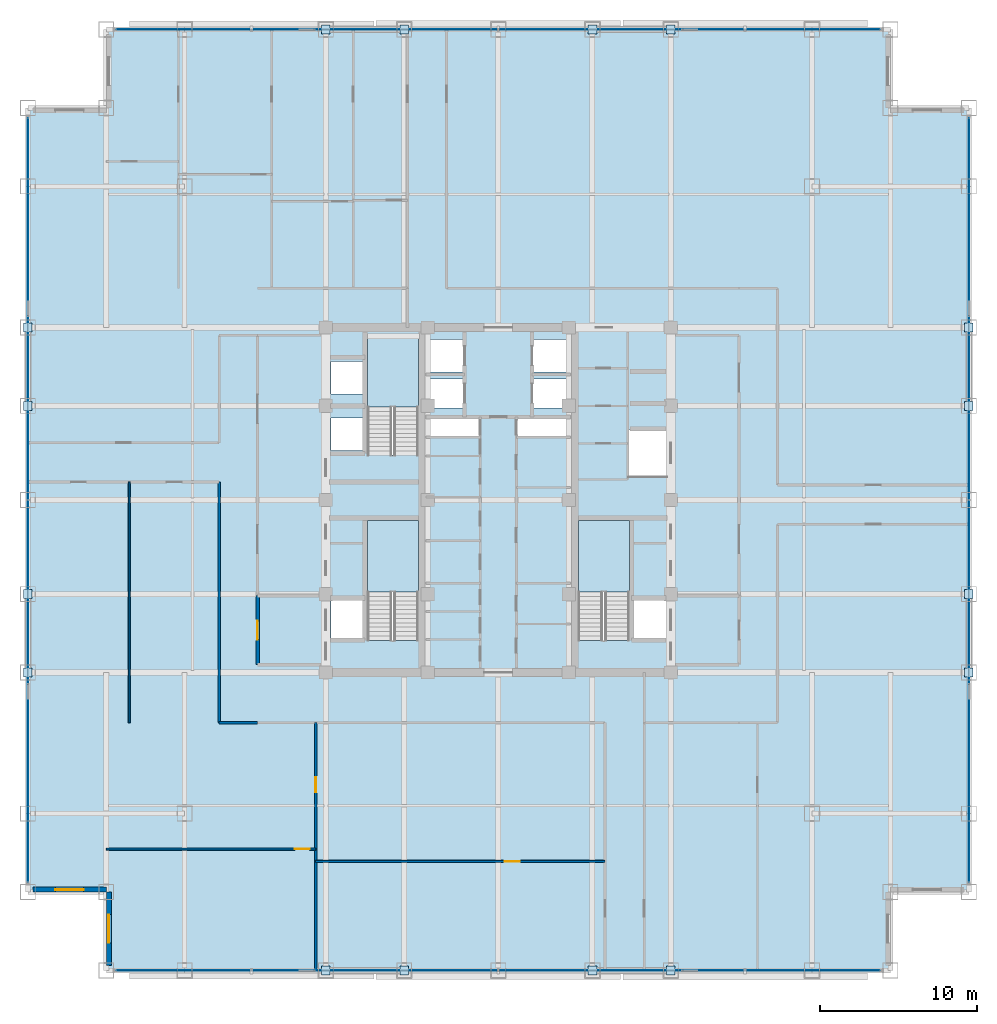
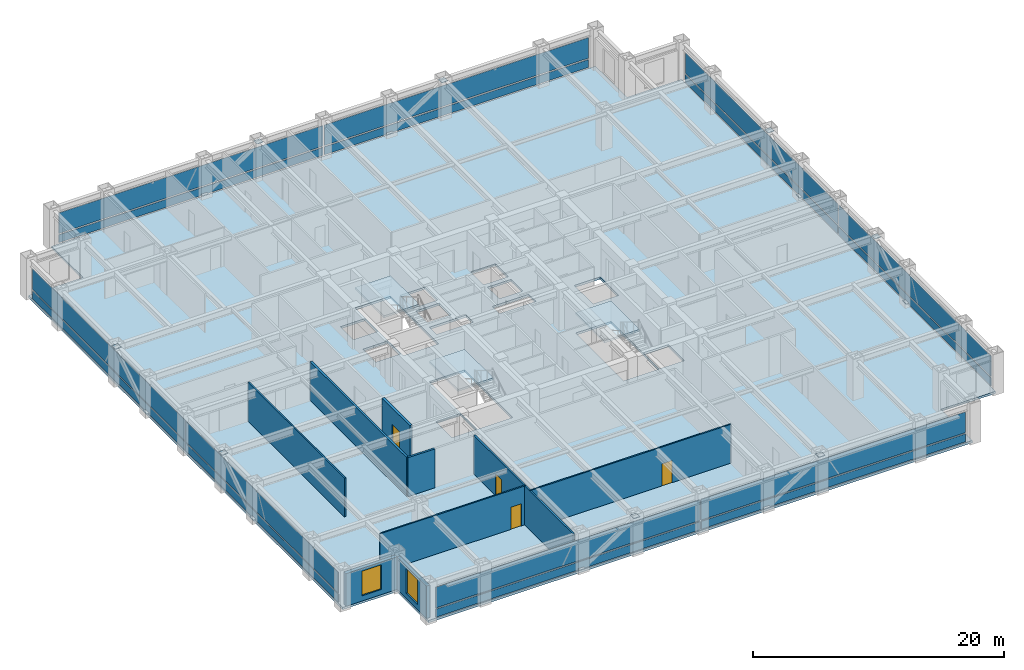
# One storey, part 19 of 29: 32 plates, 9 walls, 4 doors, 4 slabs, 2 windows, 6 openings, 7 elements without a shape of their own.
"""IFC4 building model written with IfcOpenShell, lengths in metres."""

import ifcopenshell
import ifcopenshell.guid

model = None  # the IFC model being written
_history = None  # IfcOwnerHistory: only IFC2X3 demands one
_inside = {}  # id of a spatial element -> (the spatial element, [elements in it])
_under = {}  # id of a project, library or spatial element -> (it, [spatial elements below it])
_declared = {}  # id of a project -> (the project, [libraries it declares])
_typed = {}  # id of a type object -> (the type object, [elements of that type])
_made_of = {}  # id of a material, layer set ... -> (it, [elements and type objects made of it])


def new_model(schema):
    """Start an empty IFC model of exactly this schema.

    Asked for "IFC4X3", IfcOpenShell would pick the latest addendum, in which some entities
    have other attributes; the version numbers below select the first issue.
    IFC2X3 requires an IfcOwnerHistory on every rooted entity: one is made here for all.
    """
    global model, _history
    if schema == "IFC4X3":
        model = ifcopenshell.file(schema_version=(4, 3, 0, 0))
    else:
        model = ifcopenshell.file(schema=schema)
    _inside.clear()
    _under.clear()
    _declared.clear()
    _typed.clear()
    _made_of.clear()
    _history = None
    if model.schema == "IFC2X3":
        org = make("IfcOrganization", Name="unknown")
        user = make(
            "IfcPersonAndOrganization",
            ThePerson=make("IfcPerson", FamilyName="unknown"),
            TheOrganization=org,
        )
        app = make(
            "IfcApplication",
            ApplicationDeveloper=org,
            Version="unknown",
            ApplicationFullName="unknown",
            ApplicationIdentifier="unknown",
        )
        _history = make(
            "IfcOwnerHistory",
            OwningUser=user,
            OwningApplication=app,
            ChangeAction="ADDED",
            CreationDate=0,
        )
    return model


def make(cls, **values):
    """One entity of the class cls with the attributes given. An attribute that is None is left unset."""
    return model.create_entity(
        cls, **{name: value for name, value in values.items() if value is not None}
    )


def rooted(cls, **values):
    """An entity with a GlobalId (a new one), such as an element, a storey or a relation."""
    return make(cls, GlobalId=ifcopenshell.guid.new(), OwnerHistory=_history, **values)


def si_unit(unit_type, name, prefix=None):
    """IfcSIUnit, for example si_unit("LENGTHUNIT", "METRE", prefix="MILLI")."""
    return make("IfcSIUnit", UnitType=unit_type, Prefix=prefix, Name=name)


def assignment(units):
    """IfcUnitAssignment: the units of a project."""
    return None if units is None else make("IfcUnitAssignment", Units=units)


def point(xyz):
    """IfcCartesianPoint."""
    return None if xyz is None else make("IfcCartesianPoint", Coordinates=xyz)


def direction(xyz):
    """IfcDirection."""
    return None if xyz is None else make("IfcDirection", DirectionRatios=xyz)


def frame(location, z_axis=None, x_axis=None):
    """IfcAxis2Placement3D, a coordinate frame: its origin and axes. An axis left out is left unset."""
    return make(
        "IfcAxis2Placement3D",
        Location=point(location),
        Axis=direction(z_axis),
        RefDirection=direction(x_axis),
    )


def frame_2d(location, x_axis=None):
    """IfcAxis2Placement2D, a coordinate frame in the plane: its origin and x axis."""
    return make(
        "IfcAxis2Placement2D", Location=point(location), RefDirection=direction(x_axis)
    )


def origin():
    """The frame at (0, 0, 0) with its axes left unset."""
    return frame((0.0, 0.0, 0.0))


def origin_2d():
    """The frame at (0, 0) in the plane with its x axis left unset."""
    return frame_2d((0.0, 0.0))


def place(relative_to, where):
    """IfcLocalPlacement: puts the frame where relative to a parent placement (None: the world)."""
    return make(
        "IfcLocalPlacement", PlacementRelTo=relative_to, RelativePlacement=where
    )


def context(
    kind, dimensions, precision=None, world=None, true_north=None, identifier=None
):
    """IfcGeometricRepresentationContext, for example the 3D "Model" context."""
    return make(
        "IfcGeometricRepresentationContext",
        ContextIdentifier=identifier,
        ContextType=kind,
        CoordinateSpaceDimension=dimensions,
        Precision=precision,
        WorldCoordinateSystem=world,
        TrueNorth=true_north,
    )


def subcontext(parent, identifier, kind, view, scale=None):
    """IfcGeometricRepresentationSubContext, for example "Body" below "Model"."""
    return make(
        "IfcGeometricRepresentationSubContext",
        ContextIdentifier=identifier,
        ContextType=kind,
        ParentContext=parent,
        TargetScale=scale,
        TargetView=view,
    )


def project(units=None, contexts=None):
    """IfcProject with its units and contexts."""
    return rooted(
        "IfcProject",
        Name="project",
        RepresentationContexts=contexts,
        UnitsInContext=assignment(units),
    )


def spatial(cls, under=None, at=None, **own):
    """A site, building, storey or space (cls), placed at a placement, below another one or the project."""
    s = rooted(cls, ObjectPlacement=at, **own)
    if under is not None:
        _under.setdefault(under.id(), (under, []))[1].append(s)
    return s


def polyline(points):
    """IfcPolyline through the points."""
    return make("IfcPolyline", Points=[point(p) for p in points])


def profile(cls, at=None, kind="AREA", **sizes):
    """A parametric profile (cls). Its sizes go by their IFC names, for example OverallWidth=200.0."""
    return make(cls, ProfileType=kind, Position=at, **sizes)


def rectangle(**sizes):
    """IfcRectangleProfileDef."""
    return profile("IfcRectangleProfileDef", **sizes)


def outline(outer, holes=None, kind="AREA"):
    """IfcArbitraryClosedProfileDef: a profile drawn as a closed curve; with holes, ...WithVoids."""
    if holes is None:
        return make("IfcArbitraryClosedProfileDef", ProfileType=kind, OuterCurve=outer)
    return make(
        "IfcArbitraryProfileDefWithVoids",
        ProfileType=kind,
        OuterCurve=outer,
        InnerCurves=holes,
    )


def extrude(swept, where, along, depth):
    """IfcExtrudedAreaSolid: the profile swept, set in the frame where, extruded along a direction by depth."""
    return make(
        "IfcExtrudedAreaSolid",
        SweptArea=swept,
        Position=where,
        ExtrudedDirection=direction(along),
        Depth=depth,
    )


def shape(context_of_items, identifier, shape_type, items):
    """IfcShapeRepresentation: the items that make up one representation, for example the "Body"."""
    return make(
        "IfcShapeRepresentation",
        ContextOfItems=context_of_items,
        RepresentationIdentifier=identifier,
        RepresentationType=shape_type,
        Items=items,
    )


def source(mapping_origin, context_of_items, identifier, shape_type, items):
    """IfcRepresentationMap: a shape defined once, which mapped items show again and again."""
    return make(
        "IfcRepresentationMap",
        MappingOrigin=mapping_origin,
        MappedRepresentation=shape(context_of_items, identifier, shape_type, items),
    )


def transform(
    local_origin,
    x_axis=None,
    y_axis=None,
    z_axis=None,
    scale=None,
    scale2=None,
    scale3=None,
    uniform=True,
):
    """IfcCartesianTransformationOperator3D, or its non-uniform kind. x_axis, y_axis, z_axis: its Axis1, 2, 3."""
    if uniform:
        return make(
            "IfcCartesianTransformationOperator3D",
            Axis1=direction(x_axis),
            Axis2=direction(y_axis),
            LocalOrigin=point(local_origin),
            Scale=scale,
            Axis3=direction(z_axis),
        )
    return make(
        "IfcCartesianTransformationOperator3DnonUniform",
        Axis1=direction(x_axis),
        Axis2=direction(y_axis),
        LocalOrigin=point(local_origin),
        Scale=scale,
        Axis3=direction(z_axis),
        Scale2=scale2,
        Scale3=scale3,
    )


def mapped(mapping_source, mapping_target):
    """IfcMappedItem: shows the shape of a source again, moved by a transform."""
    return make(
        "IfcMappedItem", MappingSource=mapping_source, MappingTarget=mapping_target
    )


def material(Name=None, Category=None):
    """IfcMaterial."""
    return make("IfcMaterial", Name=Name, Category=Category)


def layer(
    of_material, thickness, ventilated=None, Name=None, Category=None, Priority=None
):
    """IfcMaterialLayer: one layer of a wall or slab, of a material (None: an air gap)."""
    return make(
        "IfcMaterialLayer",
        Material=of_material,
        LayerThickness=thickness,
        IsVentilated=ventilated,
        Name=Name,
        Category=Category,
        Priority=Priority,
    )


def layer_set(layers, Name=None):
    """IfcMaterialLayerSet."""
    return make("IfcMaterialLayerSet", MaterialLayers=layers, LayerSetName=Name)


def made_of(thing, what):
    """Note that an element or type object is made of a material, layer set ...; save() writes the relation."""
    if what is not None:
        _made_of.setdefault(what.id(), (what, []))[1].append(thing)
    return thing


def type_object(cls, material=None, **own):
    """A type object (cls), such as IfcWallType, which elements share."""
    return made_of(rooted(cls, **own), material)


def element(
    cls,
    number,
    at=None,
    inside=None,
    cuts=None,
    type_object=None,
    material=None,
    context=None,
    identifier="Body",
    shape_type=None,
    held_by="IfcProductDefinitionShape",
    body=None,
    shapes=None,
    **own,
):
    """One element of the class cls, such as IfcWall. Its Tag is "e" and its number.

    at: its placement. inside: the storey or other place that contains it. cuts: it is an
    opening in that element (IfcRelVoidsElement). A single representation is given by context,
    identifier, shape_type and body (its items); several are given by shapes. held_by: the class
    of the entity that holds the representations. save() writes the other relations.
    """
    e = rooted(cls, Tag="e%d" % number, ObjectPlacement=at, **own)
    if body is not None:
        shapes = [shape(context, identifier, shape_type, body)]
    if shapes is not None:
        e.Representation = make(held_by, Representations=shapes)
    if inside is not None:
        _inside.setdefault(inside.id(), (inside, []))[1].append(e)
    if cuts is not None:
        rooted(
            "IfcRelVoidsElement", RelatingBuildingElement=cuts, RelatedOpeningElement=e
        )
    if type_object is not None:
        _typed.setdefault(type_object.id(), (type_object, []))[1].append(e)
    return made_of(e, material)


def fill(opening, filler):
    """IfcRelFillsElement: the door or window that sits in an opening."""
    return rooted(
        "IfcRelFillsElement",
        RelatingOpeningElement=opening,
        RelatedBuildingElement=filler,
    )


def aggregate(whole, parts):
    """IfcRelAggregates: a whole, such as a stair, and the parts it consists of."""
    return rooted("IfcRelAggregates", RelatingObject=whole, RelatedObjects=parts)


def save(model, path):
    """Write the relations noted so far, then the file.

    IfcRelAggregates (storeys below a building ...), IfcRelContainedInSpatialStructure (elements
    in a storey), IfcRelDefinesByType, IfcRelAssociatesMaterial and IfcRelDeclares: one each for
    every whole, place, type object, material and project.
    """
    for whole, parts in _under.values():
        aggregate(whole, parts)
    for where, things in _inside.values():
        rooted(
            "IfcRelContainedInSpatialStructure",
            RelatedElements=things,
            RelatingStructure=where,
        )
    for kind, things in _typed.values():
        rooted("IfcRelDefinesByType", RelatedObjects=things, RelatingType=kind)
    for what, things in _made_of.values():
        rooted("IfcRelAssociatesMaterial", RelatedObjects=things, RelatingMaterial=what)
    for by, libraries in _declared.values():
        rooted("IfcRelDeclares", RelatingContext=by, RelatedDefinitions=libraries)
    model.write(path)


model = new_model("IFC4")

# Units and contexts
model_context = context("Model", 3, precision=1e-05, world=origin(), true_north=direction((0.0, 1.0)))
body_context = subcontext(model_context, "Body", "Model", "MODEL_VIEW")
ifc_project = project(units=[si_unit("LENGTHUNIT", "METRE"), si_unit("AREAUNIT", "SQUARE_METRE"), si_unit("VOLUMEUNIT", "CUBIC_METRE"), si_unit("PLANEANGLEUNIT", "RADIAN"), si_unit("MASSUNIT", "GRAM", prefix="KILO")], contexts=[model_context])

# Site, building, storey
site_placement = place(None, origin())
site = spatial("IfcSite", under=ifc_project, at=site_placement, CompositionType="ELEMENT")
building_placement = place(site_placement, origin())
building = spatial("IfcBuilding", under=site, at=building_placement, Name="Khorayat Bourse Tower", CompositionType="ELEMENT")
storey_placement = place(building_placement, frame((0.0, 0.0, 243.10009765625)))
storey = spatial("IfcBuildingStorey", under=building, at=storey_placement, Name="L57", CompositionType="ELEMENT", Elevation=243.10009765625)

# Stair, slab
ifc_material_1 = material(Name="Concrete C40/50", Category="concrete")
stair_type = type_object("IfcStairType", Name="STR-CORE-1550", PredefinedType="HALF_TURN_STAIR", material=ifc_material_1)
stair_1_placement = place(storey_placement, origin())
stair_1 = element("IfcStair", 1, at=stair_1_placement, inside=storey, type_object=stair_type, Name="L57 Exit Stair ST-1", PredefinedType="HALF_TURN_STAIR")
ifc_layer_1 = layer(ifc_material_1, 0.199951171875)
ifc_layer_set_1 = layer_set([ifc_layer_1], Name="Concrete C40/50")
slab_type_1 = type_object("IfcSlabType", Name="SLB-LANDING-200", PredefinedType="LANDING", material=ifc_layer_set_1)
slab_1_placement = place(storey_placement, frame((0.0, 0.0, 1.7998046875)))
slab_1 = element("IfcSlab", 2, at=slab_1_placement, type_object=slab_type_1, Name="ST-1 landing 1", PredefinedType="LANDING", context=body_context, shape_type="SweptSolid", body=[
    extrude(outline(polyline([(-5.10009765625, -5.8701171875), (-5.10009765625, -1.300048828125), (-8.35009765625, -1.300048828125), (-8.35009765625, -5.8701171875), (-5.10009765625, -5.8701171875)])), origin(), (0.0, 0.0, 1.0), 0.2001953125),
])
aggregate(stair_1, [slab_1])

stair_2_placement = place(storey_placement, origin())
stair_2 = element("IfcStair", 3, at=stair_2_placement, inside=storey, type_object=stair_type, Name="L57 Exit Stair ST-2", PredefinedType="HALF_TURN_STAIR")
slab_2_placement = place(storey_placement, frame((0.0, 0.0, 1.7998046875)))
slab_2 = element("IfcSlab", 4, at=slab_2_placement, type_object=slab_type_1, Name="ST-2 landing 1", PredefinedType="LANDING", context=body_context, shape_type="SweptSolid", body=[
    extrude(outline(polyline([(-5.10009765625, 5.929931640625), (-5.10009765625, 10.5), (-8.35009765625, 10.5), (-8.35009765625, 5.929931640625), (-5.10009765625, 5.929931640625)])), origin(), (0.0, 0.0, 1.0), 0.2001953125),
])
aggregate(stair_2, [slab_2])

stair_3_placement = place(storey_placement, origin())
stair_3 = element("IfcStair", 5, at=stair_3_placement, inside=storey, type_object=stair_type, Name="L57 Exit Stair ST-3", PredefinedType="HALF_TURN_STAIR")
slab_3_placement = place(storey_placement, frame((0.0, 0.0, 1.7998046875)))
slab_3 = element("IfcSlab", 6, at=slab_3_placement, type_object=slab_type_1, Name="ST-3 landing 1", PredefinedType="LANDING", context=body_context, shape_type="SweptSolid", body=[
    extrude(outline(polyline([(8.35009765625, -5.8701171875), (8.35009765625, -1.300048828125), (5.10009765625, -1.300048828125), (5.10009765625, -5.8701171875), (8.35009765625, -5.8701171875)])), origin(), (0.0, 0.0, 1.0), 0.2001953125),
])
aggregate(stair_3, [slab_3])

# Slab
ifc_layer_2 = layer(ifc_material_1, 0.219970703125)
ifc_layer_set_2 = layer_set([ifc_layer_2], Name="Concrete C40/50")
slab_type_2 = type_object("IfcSlabType", Name="SLB-OFFICE-220", PredefinedType="FLOOR", material=ifc_layer_set_2)
slab_4_placement = place(storey_placement, frame((0.0, 0.0, -0.22021484375)))
element("IfcSlab", 7, at=slab_4_placement, inside=storey, type_object=slab_type_2, Name="L57 Main Floor Slab", PredefinedType="FLOOR", context=body_context, shape_type="SweptSolid", body=[
    extrude(outline(polyline([(-25.0, -30.0), (25.0, -30.0), (25.0, -25.0), (30.0, -25.0), (30.0, 25.0), (25.0, 25.0), (25.0, 30.0), (-25.0, 30.0), (-25.0, 25.0), (-30.0, 25.0), (-30.0, -25.0), (-25.0, -25.0), (-25.0, -30.0)]), holes=[polyline([(-8.35009765625, -8.945068359375), (-5.10009765625, -8.945068359375), (-5.10009765625, -1.300048828125), (-8.35009765625, -1.300048828125), (-8.35009765625, -8.945068359375)]), polyline([(-8.35009765625, 2.85498046875), (-5.10009765625, 2.85498046875), (-5.10009765625, 10.5), (-8.35009765625, 10.5), (-8.35009765625, 2.85498046875)]), polyline([(5.10009765625, -8.945068359375), (8.35009765625, -8.945068359375), (8.35009765625, -1.300048828125), (5.10009765625, -1.300048828125), (5.10009765625, -8.945068359375)]), polyline([(-4.3798828125, 8.169921875), (-2.1201171875, 8.169921875), (-2.1201171875, 10.22998046875), (-4.3798828125, 10.22998046875), (-4.3798828125, 8.169921875)]), polyline([(2.1201171875, 8.169921875), (4.3798828125, 8.169921875), (4.3798828125, 10.22998046875), (2.1201171875, 10.22998046875), (2.1201171875, 8.169921875)]), polyline([(-4.3798828125, 5.8701171875), (-2.219970703125, 5.8701171875), (-2.219970703125, 7.72998046875), (-4.3798828125, 7.72998046875), (-4.3798828125, 5.8701171875)]), polyline([(2.219970703125, 5.8701171875), (4.3798828125, 5.8701171875), (4.3798828125, 7.72998046875), (2.219970703125, 7.72998046875), (2.219970703125, 5.8701171875)]), polyline([(-10.679931640625, 3.169921875), (-8.419921875, 3.169921875), (-8.419921875, 5.22998046875), (-10.679931640625, 5.22998046875), (-10.679931640625, 3.169921875)]), polyline([(-10.679931640625, 6.77001953125), (-8.419921875, 6.77001953125), (-8.419921875, 8.830078125), (-10.679931640625, 8.830078125), (-10.679931640625, 6.77001953125)]), polyline([(-10.679931640625, -8.929931640625), (-8.419921875, -8.929931640625), (-8.419921875, -6.3701171875), (-10.679931640625, -6.3701171875), (-10.679931640625, -8.929931640625)]), polyline([(8.419921875, -8.929931640625), (10.679931640625, -8.929931640625), (10.679931640625, -6.3701171875), (8.419921875, -6.3701171875), (8.419921875, -8.929931640625)]), polyline([(8.320068359375, 1.52001953125), (10.679931640625, 1.52001953125), (10.679931640625, 4.47998046875), (8.320068359375, 4.47998046875), (8.320068359375, 1.52001953125)]), polyline([(-4.56005859375, 4.080078125), (-1.18994140625, 4.080078125), (-1.18994140625, 5.219970703125), (-4.56005859375, 5.219970703125), (-4.56005859375, 4.080078125)]), polyline([(1.18994140625, 4.080078125), (4.56005859375, 4.080078125), (4.56005859375, 5.219970703125), (1.18994140625, 5.219970703125), (1.18994140625, 4.080078125)])]), origin(), (0.0, 0.0, 1.0), 0.22021484375),
])

# Plates
ifc_material_2 = material(Name="Steel EN 10025-2 S355J2", Category="steel")
ifc_layer_3 = layer(ifc_material_2, 0.02490234375)
ifc_layer_set_3 = layer_set([ifc_layer_3], Name="Steel EN 10025-2 S355J2")
plate_type_1 = type_object("IfcPlateType", Name="PLT-ENDCAP-25", PredefinedType="SHEET", material=ifc_layer_set_3)
shared_shape_1 = source(origin(), body_context, "Body", "SweptSolid", [
    extrude(rectangle(XDim=0.56005859375, YDim=0.56005859375, at=origin_2d()), origin(), (0.0, 0.0, 1.0), 0.02490234375),
])
for number, where, z_axis, x_axis, name in (
    (8, (-11.0, -30.0, 0.237548828125), (0.0, 0.0, 1.0), (1.0, 0.0, 0.0), "L57 Perimeter Brace End Plate 001"),
    (9, (-6.0, -30.0, 3.517333984375), (0.0, 0.0, 1.0), (1.0, 0.0, 0.0), "L57 Perimeter Brace End Plate 002"),
    (10, (6.0, -30.0, 0.237548828125), (0.0, 0.0, 1.0), (1.0, 0.0, 0.0), "L57 Perimeter Brace End Plate 003"),
    (11, (11.0, -30.0, 3.517333984375), (0.0, 0.0, 1.0), (1.0, 0.0, 0.0), "L57 Perimeter Brace End Plate 004"),
    (12, (-11.0, 30.0, 0.237548828125), (0.0, 0.0, 1.0), (1.0, 0.0, 0.0), "L57 Perimeter Brace End Plate 005"),
    (13, (-6.0, 30.0, 3.517333984375), (0.0, 0.0, 1.0), (1.0, 0.0, 0.0), "L57 Perimeter Brace End Plate 006"),
    (14, (6.0, 30.0, 0.237548828125), (0.0, 0.0, 1.0), (1.0, 0.0, 0.0), "L57 Perimeter Brace End Plate 007"),
    (15, (11.0, 30.0, 3.517333984375), (0.0, 0.0, 1.0), (1.0, 0.0, 0.0), "L57 Perimeter Brace End Plate 008"),
    (16, (-30.0, -11.0, 0.237548828125), (0.0, 0.0, 1.0), (1.0, 0.0, 0.0), "L57 Perimeter Brace End Plate 009"),
    (17, (-30.0, -6.0, 3.517333984375), (0.0, 0.0, 1.0), (1.0, 0.0, 0.0), "L57 Perimeter Brace End Plate 010"),
    (18, (-30.0, 6.0, 0.237548828125), (0.0, 0.0, 1.0), (1.0, 0.0, 0.0), "L57 Perimeter Brace End Plate 011"),
    (19, (-30.0, 11.0, 3.517333984375), (0.0, 0.0, 1.0), (1.0, 0.0, 0.0), "L57 Perimeter Brace End Plate 012"),
    (20, (30.0, -11.0, 0.237548828125), (0.0, 0.0, 1.0), (1.0, 0.0, 0.0), "L57 Perimeter Brace End Plate 013"),
    (21, (30.0, -6.0, 3.517333984375), (0.0, 0.0, 1.0), (1.0, 0.0, 0.0), "L57 Perimeter Brace End Plate 014"),
    (22, (30.0, 6.0, 0.237548828125), (0.0, 0.0, 1.0), (1.0, 0.0, 0.0), "L57 Perimeter Brace End Plate 015"),
    (23, (30.0, 11.0, 3.517333984375), (0.0, 0.0, 1.0), (1.0, 0.0, 0.0), "L57 Perimeter Brace End Plate 016"),
):
    element("IfcPlate", number, at=place(storey_placement, frame(where, z_axis=z_axis, x_axis=x_axis)), inside=storey, type_object=plate_type_1, Name=name, PredefinedType="SHEET", context=body_context, shape_type="MappedRepresentation", body=[
        mapped(shared_shape_1, transform((0.0, 0.0, 0.0), scale=1.0)),
    ])

# Curtain wall, plates
ifc_material_3 = material(Name="Aluminium EN AW-6063 T6", Category="aluminium")
curtain_wall_type = type_object("IfcCurtainWallType", Name="CW-SYS-03", PredefinedType="NOTDEFINED", material=ifc_material_3)
curtain_wall_1_placement = place(storey_placement, origin())
curtain_wall_1 = element("IfcCurtainWall", 24, at=curtain_wall_1_placement, inside=storey, type_object=curtain_wall_type, Name="L57 Curtain Wall CW-L57-S1", PredefinedType="NOTDEFINED")
ifc_material_4 = material(Name="Honed desert limestone insulated spandrel", Category="masonry")
ifc_layer_4 = layer(ifc_material_4, 0.06494140625)
ifc_layer_set_4 = layer_set([ifc_layer_4], Name="Honed desert limestone insulated spandrel")
plate_type_2 = type_object("IfcPlateType", Name="CWP-SPAND-03", PredefinedType="CURTAIN_PANEL", material=ifc_layer_set_4)
shared_shape_2 = source(origin(), body_context, "Body", "SweptSolid", [
    extrude(rectangle(XDim=24.27001953125, YDim=0.06494140625, at=origin_2d()), origin(), (0.0, 0.0, 1.0), 0.77001953125),
])
plate_1_placement = place(storey_placement, frame((-12.195068359375, -30.0, 0.119873046875), z_axis=(0.0, 0.0, 1.0), x_axis=(1.0, 0.0, 0.0)))
plate_1 = element("IfcPlate", 25, at=plate_1_placement, type_object=plate_type_2, Name="CW-L57-S1 Spandrel Panel 1-1", PredefinedType="CURTAIN_PANEL", context=body_context, shape_type="MappedRepresentation", body=[
    mapped(shared_shape_2, transform((0.0, 0.0, 0.0), scale=1.0)),
])
plate_2_placement = place(storey_placement, frame((12.195068359375, -30.0, 0.119873046875), z_axis=(0.0, 0.0, 1.0), x_axis=(1.0, 0.0, 0.0)))
plate_2 = element("IfcPlate", 26, at=plate_2_placement, type_object=plate_type_2, Name="CW-L57-S1 Spandrel Panel 2-1", PredefinedType="CURTAIN_PANEL", context=body_context, shape_type="MappedRepresentation", body=[
    mapped(shared_shape_2, transform((0.0, 0.0, 0.0), scale=1.0)),
])

curtain_wall_2_placement = place(storey_placement, origin())
curtain_wall_2 = element("IfcCurtainWall", 27, at=curtain_wall_2_placement, inside=storey, type_object=curtain_wall_type, Name="L57 Curtain Wall CW-L57-N1", PredefinedType="NOTDEFINED")
plate_3_placement = place(storey_placement, frame((-12.195068359375, 30.0, 0.119873046875), z_axis=(0.0, 0.0, 1.0), x_axis=(1.0, 0.0, 0.0)))
plate_3 = element("IfcPlate", 28, at=plate_3_placement, type_object=plate_type_2, Name="CW-L57-N1 Spandrel Panel 1-1", PredefinedType="CURTAIN_PANEL", context=body_context, shape_type="MappedRepresentation", body=[
    mapped(shared_shape_2, transform((0.0, 0.0, 0.0), scale=1.0)),
])
plate_4_placement = place(storey_placement, frame((12.195068359375, 30.0, 0.119873046875), z_axis=(0.0, 0.0, 1.0), x_axis=(1.0, 0.0, 0.0)))
plate_4 = element("IfcPlate", 29, at=plate_4_placement, type_object=plate_type_2, Name="CW-L57-N1 Spandrel Panel 2-1", PredefinedType="CURTAIN_PANEL", context=body_context, shape_type="MappedRepresentation", body=[
    mapped(shared_shape_2, transform((0.0, 0.0, 0.0), scale=1.0)),
])

curtain_wall_3_placement = place(storey_placement, origin())
curtain_wall_3 = element("IfcCurtainWall", 30, at=curtain_wall_3_placement, inside=storey, type_object=curtain_wall_type, Name="L57 Curtain Wall CW-L57-W1", PredefinedType="NOTDEFINED")
plate_5_placement = place(storey_placement, frame((-30.0, -12.195068359375, 0.119873046875), z_axis=(0.0, 0.0, 1.0), x_axis=(0.0, 1.0, 0.0)))
plate_5 = element("IfcPlate", 31, at=plate_5_placement, type_object=plate_type_2, Name="CW-L57-W1 Spandrel Panel 1-1", PredefinedType="CURTAIN_PANEL", context=body_context, shape_type="MappedRepresentation", body=[
    mapped(shared_shape_2, transform((0.0, 0.0, 0.0), scale=1.0)),
])
plate_6_placement = place(storey_placement, frame((-30.0, 12.195068359375, 0.119873046875), z_axis=(0.0, 0.0, 1.0), x_axis=(0.0, 1.0, 0.0)))
plate_6 = element("IfcPlate", 32, at=plate_6_placement, type_object=plate_type_2, Name="CW-L57-W1 Spandrel Panel 2-1", PredefinedType="CURTAIN_PANEL", context=body_context, shape_type="MappedRepresentation", body=[
    mapped(shared_shape_2, transform((0.0, 0.0, 0.0), scale=1.0)),
])

curtain_wall_4_placement = place(storey_placement, origin())
curtain_wall_4 = element("IfcCurtainWall", 33, at=curtain_wall_4_placement, inside=storey, type_object=curtain_wall_type, Name="L57 Curtain Wall CW-L57-E1", PredefinedType="NOTDEFINED")
plate_7_placement = place(storey_placement, frame((30.0, -12.195068359375, 0.119873046875), z_axis=(0.0, 0.0, 1.0), x_axis=(0.0, 1.0, 0.0)))
plate_7 = element("IfcPlate", 34, at=plate_7_placement, type_object=plate_type_2, Name="CW-L57-E1 Spandrel Panel 1-1", PredefinedType="CURTAIN_PANEL", context=body_context, shape_type="MappedRepresentation", body=[
    mapped(shared_shape_2, transform((0.0, 0.0, 0.0), scale=1.0)),
])
plate_8_placement = place(storey_placement, frame((30.0, 12.195068359375, 0.119873046875), z_axis=(0.0, 0.0, 1.0), x_axis=(0.0, 1.0, 0.0)))
plate_8 = element("IfcPlate", 35, at=plate_8_placement, type_object=plate_type_2, Name="CW-L57-E1 Spandrel Panel 2-1", PredefinedType="CURTAIN_PANEL", context=body_context, shape_type="MappedRepresentation", body=[
    mapped(shared_shape_2, transform((0.0, 0.0, 0.0), scale=1.0)),
])

# Plate
ifc_material_5 = material(Name="Low-E solar-control laminated double glazing", Category="glass")
ifc_layer_5 = layer(ifc_material_5, 0.035888671875)
ifc_layer_set_5 = layer_set([ifc_layer_5], Name="Low-E solar-control laminated double glazing")
plate_type_3 = type_object("IfcPlateType", Name="CWP-VIS-01", PredefinedType="CURTAIN_PANEL", material=ifc_layer_set_5)
shared_shape_3 = source(origin(), body_context, "Body", "SweptSolid", [
    extrude(rectangle(XDim=24.27001953125, YDim=0.035888671875, at=origin_2d()), origin(), (0.0, 0.0, 1.0), 2.0),
])
plate_9_placement = place(storey_placement, frame((-12.195068359375, -30.0, 1.010009765625), z_axis=(0.0, 0.0, 1.0), x_axis=(1.0, 0.0, 0.0)))
plate_9 = element("IfcPlate", 36, at=plate_9_placement, type_object=plate_type_3, Name="CW-L57-S1 Vision Panel 1-2", PredefinedType="CURTAIN_PANEL", context=body_context, shape_type="MappedRepresentation", body=[
    mapped(shared_shape_3, transform((0.0, 0.0, 0.0), scale=1.0)),
])

plate_10_placement = place(storey_placement, frame((12.195068359375, -30.0, 1.010009765625), z_axis=(0.0, 0.0, 1.0), x_axis=(1.0, 0.0, 0.0)))
plate_10 = element("IfcPlate", 37, at=plate_10_placement, type_object=plate_type_3, Name="CW-L57-S1 Vision Panel 2-2", PredefinedType="CURTAIN_PANEL", context=body_context, shape_type="MappedRepresentation", body=[
    mapped(shared_shape_3, transform((0.0, 0.0, 0.0), scale=1.0)),
])

aggregate(curtain_wall_1, [plate_1, plate_9, plate_2, plate_10])

plate_11_placement = place(storey_placement, frame((-12.195068359375, 30.0, 1.010009765625), z_axis=(0.0, 0.0, 1.0), x_axis=(1.0, 0.0, 0.0)))
plate_11 = element("IfcPlate", 38, at=plate_11_placement, type_object=plate_type_3, Name="CW-L57-N1 Vision Panel 1-2", PredefinedType="CURTAIN_PANEL", context=body_context, shape_type="MappedRepresentation", body=[
    mapped(shared_shape_3, transform((0.0, 0.0, 0.0), scale=1.0)),
])

plate_12_placement = place(storey_placement, frame((12.195068359375, 30.0, 1.010009765625), z_axis=(0.0, 0.0, 1.0), x_axis=(1.0, 0.0, 0.0)))
plate_12 = element("IfcPlate", 39, at=plate_12_placement, type_object=plate_type_3, Name="CW-L57-N1 Vision Panel 2-2", PredefinedType="CURTAIN_PANEL", context=body_context, shape_type="MappedRepresentation", body=[
    mapped(shared_shape_3, transform((0.0, 0.0, 0.0), scale=1.0)),
])

aggregate(curtain_wall_2, [plate_3, plate_11, plate_4, plate_12])

plate_13_placement = place(storey_placement, frame((-30.0, -12.195068359375, 1.010009765625), z_axis=(0.0, 0.0, 1.0), x_axis=(0.0, 1.0, 0.0)))
plate_13 = element("IfcPlate", 40, at=plate_13_placement, type_object=plate_type_3, Name="CW-L57-W1 Vision Panel 1-2", PredefinedType="CURTAIN_PANEL", context=body_context, shape_type="MappedRepresentation", body=[
    mapped(shared_shape_3, transform((0.0, 0.0, 0.0), scale=1.0)),
])

plate_14_placement = place(storey_placement, frame((-30.0, 12.195068359375, 1.010009765625), z_axis=(0.0, 0.0, 1.0), x_axis=(0.0, 1.0, 0.0)))
plate_14 = element("IfcPlate", 41, at=plate_14_placement, type_object=plate_type_3, Name="CW-L57-W1 Vision Panel 2-2", PredefinedType="CURTAIN_PANEL", context=body_context, shape_type="MappedRepresentation", body=[
    mapped(shared_shape_3, transform((0.0, 0.0, 0.0), scale=1.0)),
])

aggregate(curtain_wall_3, [plate_5, plate_13, plate_6, plate_14])

plate_15_placement = place(storey_placement, frame((30.0, -12.195068359375, 1.010009765625), z_axis=(0.0, 0.0, 1.0), x_axis=(0.0, 1.0, 0.0)))
plate_15 = element("IfcPlate", 42, at=plate_15_placement, type_object=plate_type_3, Name="CW-L57-E1 Vision Panel 1-2", PredefinedType="CURTAIN_PANEL", context=body_context, shape_type="MappedRepresentation", body=[
    mapped(shared_shape_3, transform((0.0, 0.0, 0.0), scale=1.0)),
])

plate_16_placement = place(storey_placement, frame((30.0, 12.195068359375, 1.010009765625), z_axis=(0.0, 0.0, 1.0), x_axis=(0.0, 1.0, 0.0)))
plate_16 = element("IfcPlate", 43, at=plate_16_placement, type_object=plate_type_3, Name="CW-L57-E1 Vision Panel 2-2", PredefinedType="CURTAIN_PANEL", context=body_context, shape_type="MappedRepresentation", body=[
    mapped(shared_shape_3, transform((0.0, 0.0, 0.0), scale=1.0)),
])

aggregate(curtain_wall_4, [plate_7, plate_15, plate_8, plate_16])

# Wall, opening, window
ifc_material_6 = material(Name="Precast concrete C45/55", Category="concrete")
ifc_layer_6 = layer(ifc_material_6, 0.320068359375)
ifc_layer_set_6 = layer_set([ifc_layer_6], Name="Precast concrete C45/55")
wall_type_1 = type_object("IfcWallType", Name="WAL-EXT-STONE-320", PredefinedType="STANDARD", material=ifc_layer_set_6)
shared_shape_4 = source(origin(), body_context, "Body", "SweptSolid", [
    extrude(rectangle(XDim=4.679931640625, YDim=0.320068359375, at=frame_2d((2.33984375, 0.0))), origin(), (0.0, 0.0, 1.0), 3.163818359375),
])
wall_1_placement = place(storey_placement, frame((-25.0, -24.840087890625, 0.0), z_axis=(0.0, 0.0, 1.0), x_axis=(-1.0, 0.0, 0.0)))
wall_1 = element("IfcWall", 44, at=wall_1_placement, inside=storey, type_object=wall_type_1, Name="L57 Re-Entrant Notch Limestone Wall SW-H", PredefinedType="STANDARD", context=body_context, shape_type="MappedRepresentation", body=[
    mapped(shared_shape_4, transform((0.0, 0.0, 0.0), scale=1.0)),
])
shared_shape_5 = source(origin(), body_context, "Body", "SweptSolid", [
    extrude(rectangle(XDim=1.800048828125, YDim=2.39990234375, at=frame_2d((0.89990234375, 1.199951171875))), frame((0.0, 0.169921875, 0.0), z_axis=(0.0, -1.0, 0.0), x_axis=(1.0, 0.0, 0.0)), (0.0, 0.0, 1.0), 0.340087890625),
])
opening_1_placement = place(wall_1_placement, frame((1.43994140625, 0.0, 0.5)))
opening_1 = element("IfcOpeningElement", 45, at=opening_1_placement, cuts=wall_1, Name="Opening WN-04", PredefinedType="OPENING", context=body_context, shape_type="MappedRepresentation", body=[
    mapped(shared_shape_5, transform((0.0, 0.0, 0.0), scale=1.0)),
])
ifc_material_7 = material(Name="Low-E acoustic laminated double glazing", Category="glass")
window_type = type_object("IfcWindowType", Name="WIN-NOTCH-1800x2400", PartitioningType="SINGLE_PANEL", PredefinedType="WINDOW", material=ifc_material_7)
shared_shape_6 = source(origin(), body_context, "Body", "SweptSolid", [
    extrude(rectangle(XDim=1.800048828125, YDim=2.39990234375, at=frame_2d((0.89990234375, 1.199951171875))), frame((0.0, 0.030029296875, 0.0), z_axis=(0.0, -1.0, 0.0), x_axis=(1.0, 0.0, 0.0)), (0.0, 0.0, 1.0), 0.06005859375),
])
window_1_placement = place(opening_1_placement, origin())
window_1 = element("IfcWindow", 46, at=window_1_placement, inside=storey, type_object=window_type, Name="L57 Facade Window 1", OverallHeight=2.39990234375, OverallWidth=1.800048828125, PartitioningType="SINGLE_PANEL", PredefinedType="WINDOW", context=body_context, shape_type="MappedRepresentation", body=[
    mapped(shared_shape_6, transform((0.0, 0.0, 0.0), scale=1.0)),
])
fill(opening_1, window_1)

wall_2_placement = place(storey_placement, frame((-24.840087890625, -29.679931640625, 0.0), z_axis=(0.0, 0.0, 1.0), x_axis=(0.0, 1.0, 0.0)))
wall_2 = element("IfcWall", 47, at=wall_2_placement, inside=storey, type_object=wall_type_1, Name="L57 Re-Entrant Notch Limestone Wall SW-V", PredefinedType="STANDARD", context=body_context, shape_type="MappedRepresentation", body=[
    mapped(shared_shape_4, transform((0.0, 0.0, 0.0), scale=1.0)),
])
opening_2_placement = place(wall_2_placement, frame((1.43994140625, 0.0, 0.5)))
opening_2 = element("IfcOpeningElement", 48, at=opening_2_placement, cuts=wall_2, Name="Opening WN-04", PredefinedType="OPENING", context=body_context, shape_type="MappedRepresentation", body=[
    mapped(shared_shape_5, transform((0.0, 0.0, 0.0), scale=1.0)),
])
window_2_placement = place(opening_2_placement, origin())
window_2 = element("IfcWindow", 49, at=window_2_placement, inside=storey, type_object=window_type, Name="L57 Facade Window 1", OverallHeight=2.39990234375, OverallWidth=1.800048828125, PartitioningType="SINGLE_PANEL", PredefinedType="WINDOW", context=body_context, shape_type="MappedRepresentation", body=[
    mapped(shared_shape_6, transform((0.0, 0.0, 0.0), scale=1.0)),
])
fill(opening_2, window_2)

# Wall, opening, door
ifc_material_8 = material(Name="Aerated concrete blockwork", Category="masonry")
ifc_layer_7 = layer(ifc_material_8, 0.219970703125)
ifc_layer_set_7 = layer_set([ifc_layer_7], Name="Aerated concrete blockwork")
wall_type_2 = type_object("IfcWallType", Name="WAL-PART-FF-220", PredefinedType="PARTITIONING", material=ifc_layer_set_7)
shared_shape_7 = source(origin(), body_context, "Body", "SweptSolid", [
    extrude(rectangle(XDim=4.39990234375, YDim=0.219970703125, at=frame_2d((2.199951171875, 0.0))), origin(), (0.0, 0.0, 1.0), 3.77978515625),
])
wall_3_placement = place(storey_placement, frame((-15.35009765625, -10.5, 0.0), z_axis=(0.0, 0.0, 1.0), x_axis=(0.0, 1.0, 0.0)))
wall_3 = element("IfcWall", 50, at=wall_3_placement, inside=storey, type_object=wall_type_2, Name="L57 Partition WAL-L57-FFLW-W", PredefinedType="PARTITIONING", context=body_context, shape_type="MappedRepresentation", body=[
    mapped(shared_shape_7, transform((0.0, 0.0, 0.0), scale=1.0)),
])
shared_shape_8 = source(origin(), body_context, "Body", "SweptSolid", [
    extrude(rectangle(XDim=1.199951171875, YDim=2.199951171875, at=frame_2d((0.60009765625, 1.10009765625))), frame((0.0, 0.119873046875, 0.0), z_axis=(0.0, -1.0, 0.0), x_axis=(1.0, 0.0, 0.0)), (0.0, 0.0, 1.0), 0.239990234375),
])
opening_3_placement = place(wall_3_placement, frame((1.60009765625, 0.0, 0.0)))
opening_3 = element("IfcOpeningElement", 51, at=opening_3_placement, cuts=wall_3, Name="Opening DI-02", PredefinedType="OPENING", context=body_context, shape_type="MappedRepresentation", body=[
    mapped(shared_shape_8, transform((0.0, 0.0, 0.0), scale=1.0)),
])
ifc_material_9 = material(Name="Fire-rated steel double-seal leaf", Category="steel")
door_type_1 = type_object("IfcDoorType", Name="DR-INT-FFLOBBY-1200", OperationType="NOTDEFINED", PredefinedType="DOOR", material=ifc_material_9)
shared_shape_9 = source(origin(), body_context, "Body", "SweptSolid", [
    extrude(rectangle(XDim=1.199951171875, YDim=2.199951171875, at=frame_2d((0.60009765625, 1.10009765625))), frame((0.0, 0.02490234375, 0.0), z_axis=(0.0, -1.0, 0.0), x_axis=(1.0, 0.0, 0.0)), (0.0, 0.0, 1.0), 0.050048828125),
])
door_1_placement = place(opening_3_placement, origin())
door_1 = element("IfcDoor", 52, at=door_1_placement, inside=storey, type_object=door_type_1, Name="L57 West Firefighting Lobby Door", OperationType="SINGLE_SWING_LEFT", OverallHeight=2.199951171875, OverallWidth=1.199951171875, PredefinedType="DOOR", context=body_context, shape_type="MappedRepresentation", body=[
    mapped(shared_shape_9, transform((0.0, 0.0, 0.0), scale=1.0)),
])
fill(opening_3, door_1)

# Wall
ifc_material_10 = material(Name="Gypsum plasterboard acoustic stud wall")
ifc_layer_8 = layer(ifc_material_10, 0.179931640625)
ifc_layer_set_8 = layer_set([ifc_layer_8], Name="Gypsum plasterboard acoustic stud wall")
wall_type_3 = type_object("IfcWallType", Name="WAL-PART-CORR-180", PredefinedType="PARTITIONING", material=ifc_layer_set_8)
shared_shape_10 = source(origin(), body_context, "Body", "SweptSolid", [
    extrude(rectangle(XDim=2.449951171875, YDim=0.179931640625, at=frame_2d((1.22509765625, 0.0))), origin(), (0.0, 0.0, 1.0), 3.77978515625),
])
wall_4_placement = place(storey_placement, frame((-17.800048828125, -14.199951171875, 0.0), z_axis=(0.0, 0.0, 1.0), x_axis=(1.0, 0.0, 0.0)))
element("IfcWall", 53, at=wall_4_placement, inside=storey, type_object=wall_type_3, Name="L57 Partition WAL-L57-C2-WS", PredefinedType="PARTITIONING", context=body_context, shape_type="MappedRepresentation", body=[
    mapped(shared_shape_10, transform((0.0, 0.0, 0.0), scale=1.0)),
])

# Wall, opening, door
ifc_material_11 = material(Name="Gypsum plasterboard twin-frame partition")
ifc_layer_9 = layer(ifc_material_11, 0.14990234375)
ifc_layer_set_9 = layer_set([ifc_layer_9], Name="Gypsum plasterboard twin-frame partition")
wall_type_4 = type_object("IfcWallType", Name="WAL-PART-SUITE-150", PredefinedType="PARTITIONING", material=ifc_layer_set_9)
shared_shape_11 = source(origin(), body_context, "Body", "SweptSolid", [
    extrude(rectangle(XDim=15.800048828125, YDim=0.14990234375, at=frame_2d((7.89990234375, 0.0))), origin(), (0.0, 0.0, 1.0), 3.77978515625),
])
wall_5_placement = place(storey_placement, frame((-11.64404296875, -30.0, 0.0), z_axis=(0.0, 0.0, 1.0), x_axis=(0.0, 1.0, 0.0)))
wall_5 = element("IfcWall", 54, at=wall_5_placement, inside=storey, type_object=wall_type_4, Name="L57 Partition WAL-L57-QSWDV-1", PredefinedType="PARTITIONING", context=body_context, shape_type="MappedRepresentation", body=[
    mapped(shared_shape_11, transform((0.0, 0.0, 0.0), scale=1.0)),
])
shared_shape_12 = source(origin(), body_context, "Body", "SweptSolid", [
    extrude(rectangle(XDim=0.949951171875, YDim=2.14990234375, at=frame_2d((0.47509765625, 1.074951171875))), frame((0.0, 0.0849609375, 0.0), z_axis=(0.0, -1.0, 0.0), x_axis=(1.0, 0.0, 0.0)), (0.0, 0.0, 1.0), 0.169921875),
])
opening_4_placement = place(wall_5_placement, frame((11.375, 0.0, 0.0)))
opening_4 = element("IfcOpeningElement", 55, at=opening_4_placement, cuts=wall_5, Name="Opening DI-05", PredefinedType="OPENING", context=body_context, shape_type="MappedRepresentation", body=[
    mapped(shared_shape_12, transform((0.0, 0.0, 0.0), scale=1.0)),
])
ifc_material_12 = material(Name="Acoustic oak veneer office door")
door_type_2 = type_object("IfcDoorType", Name="DR-INT-OFFICE-950", OperationType="NOTDEFINED", PredefinedType="DOOR", material=ifc_material_12)
shared_shape_13 = source(origin(), body_context, "Body", "SweptSolid", [
    extrude(rectangle(XDim=0.949951171875, YDim=2.14990234375, at=frame_2d((0.47509765625, 1.074951171875))), frame((0.0, 0.02490234375, 0.0), z_axis=(0.0, -1.0, 0.0), x_axis=(1.0, 0.0, 0.0)), (0.0, 0.0, 1.0), 0.050048828125),
])
door_2_placement = place(opening_4_placement, origin())
door_2 = element("IfcDoor", 56, at=door_2_placement, inside=storey, type_object=door_type_2, Name="L57 South-West Suite Link 1", OperationType="SINGLE_SWING_RIGHT", OverallHeight=2.14990234375, OverallWidth=0.949951171875, PredefinedType="DOOR", context=body_context, shape_type="MappedRepresentation", body=[
    mapped(shared_shape_13, transform((0.0, 0.0, 0.0), scale=1.0)),
])
fill(opening_4, door_2)

ifc_material_13 = material(Name="Gypsum plasterboard partition")
ifc_layer_10 = layer(ifc_material_13, 0.125)
ifc_layer_set_10 = layer_set([ifc_layer_10], Name="Gypsum plasterboard partition")
wall_type_5 = type_object("IfcWallType", Name="WAL-PART-ROOM-125", PredefinedType="PARTITIONING", material=ifc_layer_set_10)
shared_shape_14 = source(origin(), body_context, "Body", "SweptSolid", [
    extrude(rectangle(XDim=13.35595703125, YDim=0.125, at=frame_2d((6.677978515625, 0.0))), origin(), (0.0, 0.0, 1.0), 3.77978515625),
])
wall_6_placement = place(storey_placement, frame((-25.0, -22.258056640625, 0.0), z_axis=(0.0, 0.0, 1.0), x_axis=(1.0, 0.0, 0.0)))
wall_6 = element("IfcWall", 57, at=wall_6_placement, inside=storey, type_object=wall_type_5, Name="L57 Partition WAL-L57-QSWDP-1", PredefinedType="PARTITIONING", context=body_context, shape_type="MappedRepresentation", body=[
    mapped(shared_shape_14, transform((0.0, 0.0, 0.0), scale=1.0)),
])
shared_shape_15 = source(origin(), body_context, "Body", "SweptSolid", [
    extrude(rectangle(XDim=0.949951171875, YDim=2.14990234375, at=frame_2d((0.47509765625, 1.074951171875))), frame((0.0, 0.072509765625, 0.0), z_axis=(0.0, -1.0, 0.0), x_axis=(1.0, 0.0, 0.0)), (0.0, 0.0, 1.0), 0.14501953125),
])
opening_5_placement = place(wall_6_placement, frame((12.031005859375, 0.0, 0.0)))
opening_5 = element("IfcOpeningElement", 58, at=opening_5_placement, cuts=wall_6, Name="Opening DI-05", PredefinedType="OPENING", context=body_context, shape_type="MappedRepresentation", body=[
    mapped(shared_shape_15, transform((0.0, 0.0, 0.0), scale=1.0)),
])
door_3_placement = place(opening_5_placement, origin())
door_3 = element("IfcDoor", 59, at=door_3_placement, inside=storey, type_object=door_type_2, Name="L57 South-West Issuer Listing Showroom 1B Door", OperationType="SINGLE_SWING_RIGHT", OverallHeight=2.14990234375, OverallWidth=0.949951171875, PredefinedType="DOOR", context=body_context, shape_type="MappedRepresentation", body=[
    mapped(shared_shape_13, transform((0.0, 0.0, 0.0), scale=1.0)),
])
fill(opening_5, door_3)

shared_shape_16 = source(origin(), body_context, "Body", "SweptSolid", [
    extrude(rectangle(XDim=18.444091796875, YDim=0.125, at=frame_2d((9.22216796875, 0.0))), origin(), (0.0, 0.0, 1.0), 3.77978515625),
])
wall_7_placement = place(storey_placement, frame((-11.64404296875, -23.048095703125, 0.0), z_axis=(0.0, 0.0, 1.0), x_axis=(1.0, 0.0, 0.0)))
wall_7 = element("IfcWall", 60, at=wall_7_placement, inside=storey, type_object=wall_type_5, Name="L57 Partition WAL-L57-QSWDP-2", PredefinedType="PARTITIONING", context=body_context, shape_type="MappedRepresentation", body=[
    mapped(shared_shape_16, transform((0.0, 0.0, 0.0), scale=1.0)),
])
opening_6_placement = place(wall_7_placement, frame((12.06689453125, 0.0, 0.0)))
opening_6 = element("IfcOpeningElement", 61, at=opening_6_placement, cuts=wall_7, Name="Opening DI-05", PredefinedType="OPENING", context=body_context, shape_type="MappedRepresentation", body=[
    mapped(shared_shape_15, transform((0.0, 0.0, 0.0), scale=1.0)),
])
door_4_placement = place(opening_6_placement, origin())
door_4 = element("IfcDoor", 62, at=door_4_placement, inside=storey, type_object=door_type_2, Name="L57 South-West Members Exchange Lounge 2B Door", OperationType="SINGLE_SWING_LEFT", OverallHeight=2.14990234375, OverallWidth=0.949951171875, PredefinedType="DOOR", context=body_context, shape_type="MappedRepresentation", body=[
    mapped(shared_shape_13, transform((0.0, 0.0, 0.0), scale=1.0)),
])
fill(opening_6, door_4)

# Walls
shared_shape_17 = source(origin(), body_context, "Body", "SweptSolid", [
    extrude(rectangle(XDim=15.349853515625, YDim=0.125, at=frame_2d((7.6748046875, 0.0))), origin(), (0.0, 0.0, 1.0), 3.77978515625),
])
wall_8_placement = place(storey_placement, frame((-23.533935546875, -14.199951171875, 0.0), z_axis=(0.0, 0.0, 1.0), x_axis=(0.0, 1.0, 0.0)))
element("IfcWall", 63, at=wall_8_placement, inside=storey, type_object=wall_type_5, Name="L57 Partition WAL-L57-WS-DV", PredefinedType="PARTITIONING", context=body_context, shape_type="MappedRepresentation", body=[
    mapped(shared_shape_17, transform((0.0, 0.0, 0.0), scale=1.0)),
])
shared_shape_18 = source(origin(), body_context, "Body", "SweptSolid", [
    extrude(rectangle(XDim=15.349853515625, YDim=0.179931640625, at=frame_2d((7.6748046875, 0.0))), origin(), (0.0, 0.0, 1.0), 3.77978515625),
])
wall_9_placement = place(storey_placement, frame((-17.800048828125, -14.199951171875, 0.0), z_axis=(0.0, 0.0, 1.0), x_axis=(0.0, 1.0, 0.0)))
element("IfcWall", 64, at=wall_9_placement, inside=storey, type_object=wall_type_3, Name="L57 Partition WAL-L57-WS-IN", PredefinedType="PARTITIONING", context=body_context, shape_type="MappedRepresentation", body=[
    mapped(shared_shape_18, transform((0.0, 0.0, 0.0), scale=1.0)),
])

save(model, "model.ifc")
